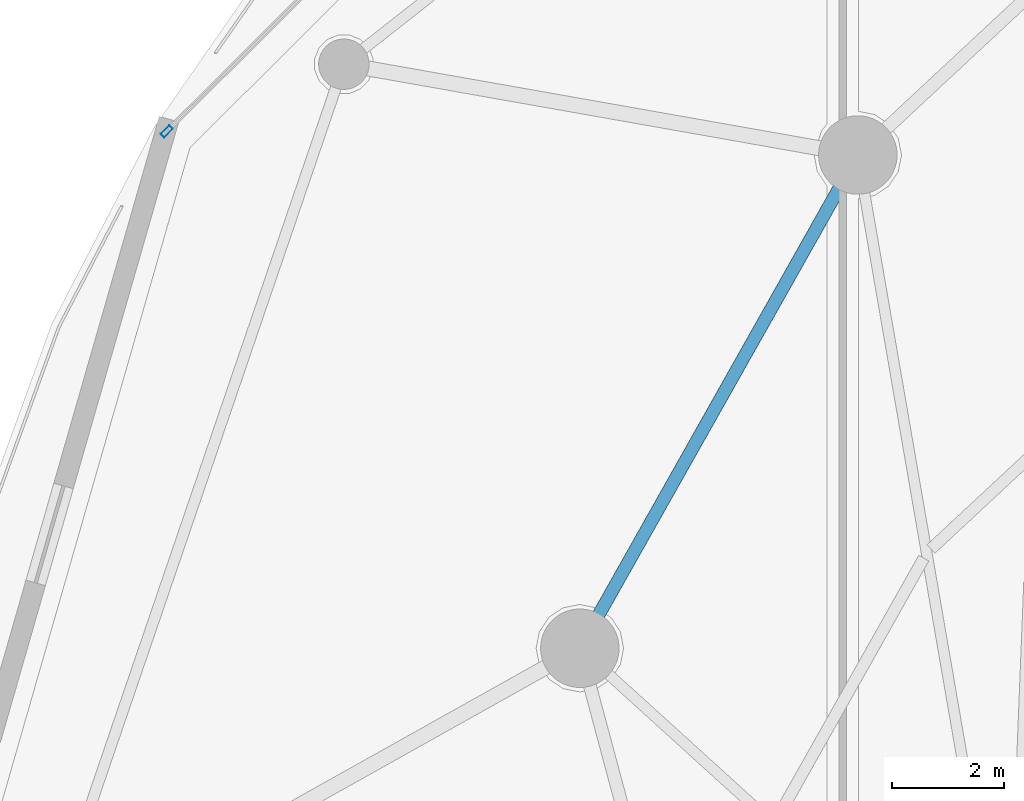
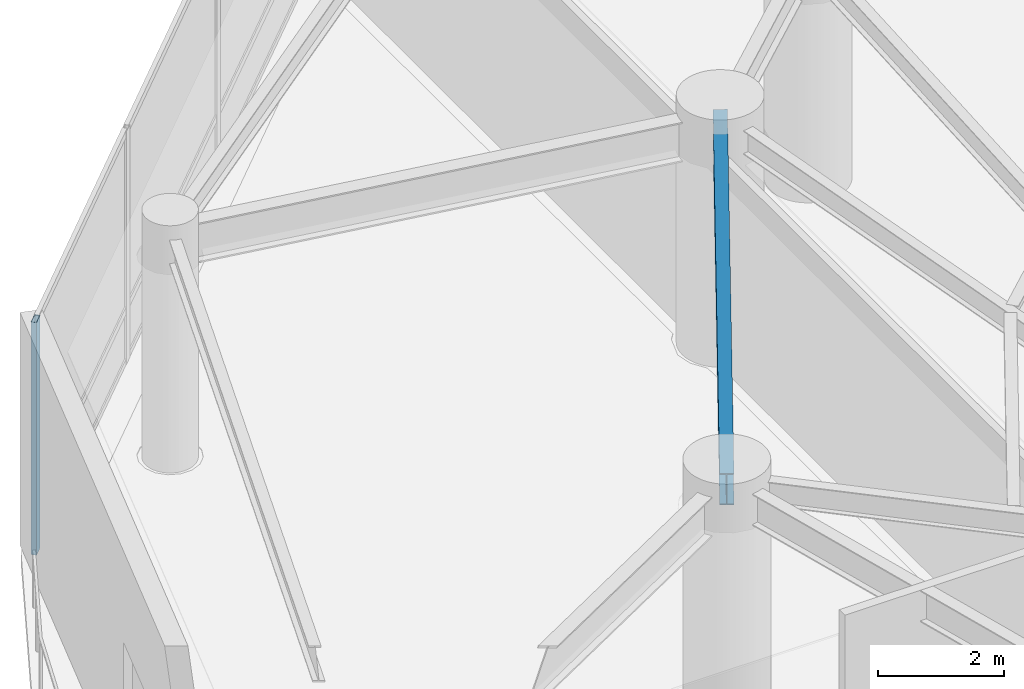
# One storey, part 6 of 40: 1 beam, 1 member, 1 element without a shape of its own.
"""IFC4 building model written with IfcOpenShell, lengths in metres."""

from ifc_helpers import new_model, si_unit, direction, frame, origin, origin_2d, place, context, subcontext, project, spatial, hollow_rectangle, i_section, extrude, material, layer, layer_set, material_profile, profile_set, type_object, element, aggregate, save


model = new_model("IFC4")

# Units and contexts
model_context = context("Model", 3, precision=1e-05, world=origin(), true_north=direction((0.0, 1.0)))
body_context = subcontext(model_context, "Body", "Model", "MODEL_VIEW")
ifc_project = project(units=[si_unit("LENGTHUNIT", "METRE"), si_unit("AREAUNIT", "SQUARE_METRE"), si_unit("VOLUMEUNIT", "CUBIC_METRE"), si_unit("PLANEANGLEUNIT", "RADIAN"), si_unit("MASSUNIT", "GRAM", prefix="KILO")], contexts=[model_context])

# Site, building, storey
site_placement = place(None, origin())
site = spatial("IfcSite", under=ifc_project, at=site_placement, CompositionType="ELEMENT")
building_placement = place(site_placement, origin())
building = spatial("IfcBuilding", under=site, at=building_placement, Name="Kazevale Care Tower and Concert Hall", CompositionType="ELEMENT")
storey_placement = place(building_placement, frame((0.0, 0.0, 4.800048828125)))
storey = spatial("IfcBuildingStorey", under=building, at=storey_placement, Name="L01", CompositionType="ELEMENT", Elevation=4.800048828125)

# Curtain wall, member
ifc_material_1 = material(Name="Aluminium 6063-T6 and Low-E Glass", Category="aluminium")
ifc_layer = layer(ifc_material_1, 0.179931640625)
ifc_layer_set = layer_set([ifc_layer], Name="Aluminium 6063-T6 and Low-E Glass")
curtain_wall_type = type_object("IfcCurtainWallType", Name="Podium Double-Skin Medical Curtain Wall CW-1", PredefinedType="NOTDEFINED", material=ifc_layer_set)
curtain_wall_placement = place(storey_placement, origin())
curtain_wall = element("IfcCurtainWall", 1, at=curtain_wall_placement, inside=storey, type_object=curtain_wall_type, Name="cw:L01:pod:06", PredefinedType="NOTDEFINED")
ifc_material_2 = material(Name="Aluminium 6063-T6", Category="aluminium")
ifc_material_profile_1 = material_profile(ifc_material_2, hollow_rectangle(XDim=0.090087890625, YDim=0.219970703125, WallThickness=0.0048828125, at=origin_2d()), Name="ALU90x220x5")
ifc_profile_set_1 = profile_set([ifc_material_profile_1], Name="Aluminium 6063-T6")
member_type = type_object("IfcMemberType", Name="CW-1 Mullion ALU90x220x5", PredefinedType="MULLION", material=ifc_profile_set_1)
member_placement = place(storey_placement, frame((6.93896484375, 52.601806640625, 0.0), z_axis=(0.0, 0.0, 1.0), x_axis=(0.705655814257, -0.708554776856, 0.0)))
member = element("IfcMember", 2, at=member_placement, type_object=member_type, Name="CW-1 mullion 4", PredefinedType="MULLION", context=body_context, shape_type="SweptSolid", body=[
    extrude(hollow_rectangle(XDim=0.090087890625, YDim=0.219970703125, WallThickness=0.0048828125, at=origin_2d()), origin(), (0.0, 0.0, 1.0), 4.52001953125),
])
aggregate(curtain_wall, [member])

# Beam
ifc_material_3 = material(Name="Steel ASTM A572 Gr 50", Category="steel")
ifc_material_profile_2 = material_profile(ifc_material_3, i_section(OverallWidth=0.22900390625, OverallDepth=0.612060546875, WebThickness=0.011962890625, FlangeThickness=0.01953125, at=origin_2d()), Name="W610x125")
ifc_profile_set_2 = profile_set([ifc_material_profile_2], Name="Steel ASTM A572 Gr 50")
beam_type = type_object("IfcBeamType", Name="Ring Spandrel Beam W610x125", PredefinedType="SPANDREL", material=ifc_profile_set_2)
beam_placement = place(storey_placement, frame((19.27001953125, 52.179931640625, 4.2138671875), z_axis=(-0.491008061092, -0.87115502865, 0.0), x_axis=(0.87115502865, -0.491008061092, 0.0)))
element("IfcBeam", 3, at=beam_placement, inside=storey, type_object=beam_type, Name="beam:L01:ring:08", PredefinedType="SPANDREL", context=body_context, shape_type="SweptSolid", body=[
    extrude(i_section(OverallWidth=0.22900390625, OverallDepth=0.612060546875, WebThickness=0.011962890625, FlangeThickness=0.01953125, at=origin_2d()), origin(), (0.0, 0.0, 1.0), 10.1015625),
])

save(model, "model.ifc")
